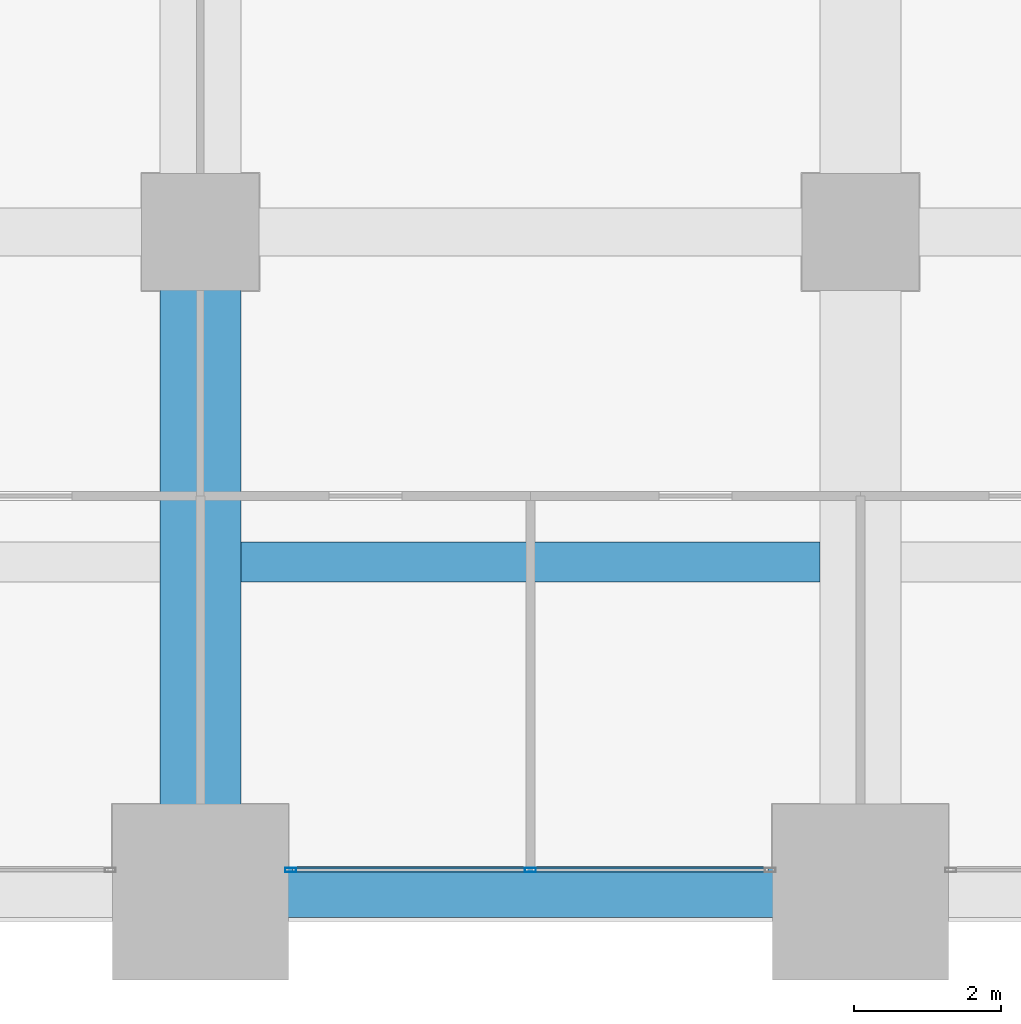
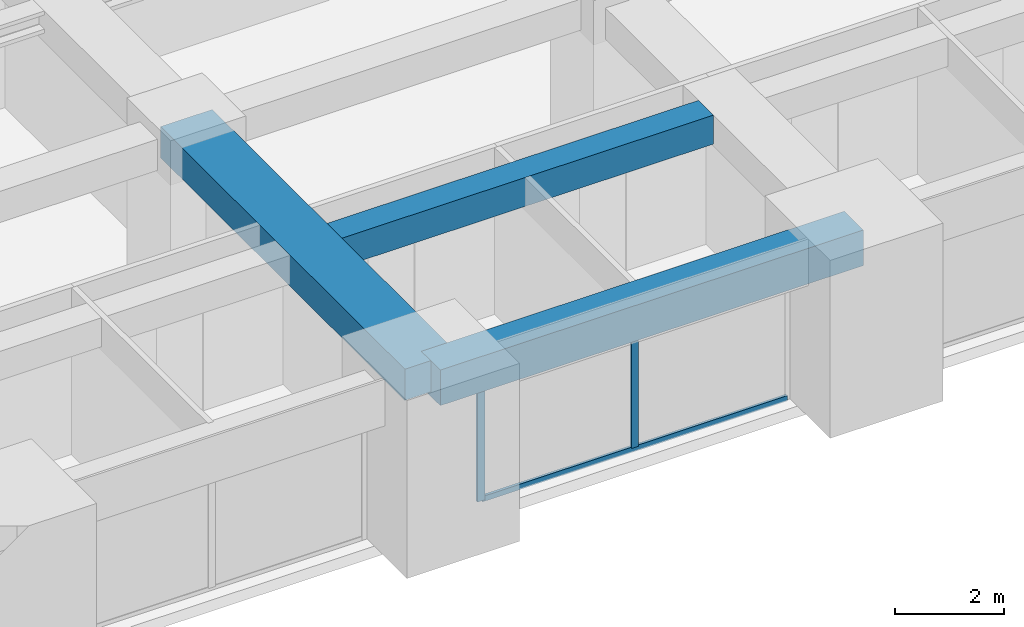
# One storey, part 7 of 32: 3 beams, 3 members, 1 element without a shape of its own.
"""IFC4 building model written with IfcOpenShell, lengths in metres."""

from ifc_helpers import new_model, si_unit, direction, frame, origin, origin_2d, place, context, subcontext, project, spatial, rectangle, hollow_rectangle, extrude, material, material_profile, profile_set, type_object, element, aggregate, save


model = new_model("IFC4")

# Units and contexts
model_context = context("Model", 3, precision=1e-05, world=origin(), true_north=direction((0.0, 1.0)))
body_context = subcontext(model_context, "Body", "Model", "MODEL_VIEW")
ifc_project = project(units=[si_unit("LENGTHUNIT", "METRE"), si_unit("AREAUNIT", "SQUARE_METRE"), si_unit("VOLUMEUNIT", "CUBIC_METRE"), si_unit("PLANEANGLEUNIT", "RADIAN"), si_unit("MASSUNIT", "GRAM", prefix="KILO")], contexts=[model_context])

# Site, building, storey
site_placement = place(None, origin())
site = spatial("IfcSite", under=ifc_project, at=site_placement, CompositionType="ELEMENT")
building_placement = place(site_placement, origin())
building = spatial("IfcBuilding", under=site, at=building_placement, Name="Zorevar Civic Tower", CompositionType="ELEMENT")
storey_placement = place(building_placement, frame((0.0, 0.0, 182.199951171875)))
storey = spatial("IfcBuildingStorey", under=building, at=storey_placement, Name="L44", CompositionType="ELEMENT", Elevation=182.199951171875)

# Beams
ifc_material_1 = material(Name="Concrete C50/60", Category="concrete")
ifc_material_profile_1 = material_profile(ifc_material_1, rectangle(XDim=1.10009765625, YDim=0.699951171875, at=origin_2d()), Name="RC 1100x700")
ifc_profile_set_1 = profile_set([ifc_material_profile_1], Name="Concrete C50/60")
beam_type_1 = type_object("IfcBeamType", Name="Beam RC 1100x700", PredefinedType="BEAM", material=ifc_profile_set_1)
beam_1_placement = place(storey_placement, frame((27.0, 0.0, 3.400146484375), z_axis=(0.0, 1.0, 0.0), x_axis=(-1.0, 0.0, 0.0)))
element("IfcBeam", 1, at=beam_1_placement, inside=storey, type_object=beam_type_1, Name="Girder L45", PredefinedType="BEAM", context=body_context, shape_type="SweptSolid", body=[
    extrude(rectangle(XDim=1.10009765625, YDim=0.699951171875, at=origin_2d()), origin(), (0.0, 0.0, 1.0), 9.0),
])
ifc_material_2 = material(Name="Concrete C50/60", Category="concrete")
ifc_material_profile_2 = material_profile(ifc_material_2, rectangle(XDim=0.550048828125, YDim=0.64990234375, at=origin_2d()), Name="RC 550x650")
ifc_profile_set_2 = profile_set([ifc_material_profile_2], Name="Concrete C50/60")
beam_type_2 = type_object("IfcBeamType", Name="Beam RC 550x650", PredefinedType="BEAM", material=ifc_profile_set_2)
beam_2_placement = place(storey_placement, frame((27.550048828125, 4.5, 3.425048828125), z_axis=(1.0, 0.0, 0.0), x_axis=(0.0, 1.0, 0.0)))
element("IfcBeam", 2, at=beam_2_placement, inside=storey, type_object=beam_type_2, Name="Secondary beam L45", PredefinedType="BEAM", context=body_context, shape_type="SweptSolid", body=[
    extrude(rectangle(XDim=0.550048828125, YDim=0.64990234375, at=origin_2d()), origin(), (0.0, 0.0, 1.0), 7.89990234375),
])

# Curtain wall, members
ifc_material_3 = material(Name="Dark grey solar-control glass in black aluminium frame", Category="aluminium")
curtain_wall_type = type_object("IfcCurtainWallType", Name="Curtain wall CW4 high zone", PredefinedType="NOTDEFINED", material=ifc_material_3)
curtain_wall_placement = place(storey_placement, origin())
curtain_wall = element("IfcCurtainWall", 3, at=curtain_wall_placement, inside=storey, type_object=curtain_wall_type, Name="CW4 L44", PredefinedType="NOTDEFINED")
ifc_material_4 = material(Name="Aluminium, black anodised", Category="aluminium")
ifc_material_profile_3 = material_profile(ifc_material_4, hollow_rectangle(XDim=0.06005859375, YDim=0.14990234375, WallThickness=0.00390625, at=origin_2d()), Name="AL 150x60x4")
ifc_profile_set_3 = profile_set([ifc_material_profile_3], Name="Aluminium, black anodised")
member_type_1 = type_object("IfcMemberType", Name="CW4 mullion AL 150x60x4", PredefinedType="MULLION", material=ifc_profile_set_3)
member_1_placement = place(storey_placement, frame((28.22998046875, 0.300048828125, 0.0), z_axis=(0.0, 0.0, 1.0), x_axis=(0.0, 1.0, 0.0)))
member_1 = element("IfcMember", 4, at=member_1_placement, type_object=member_type_1, Name="CW4 mullion 1", PredefinedType="MULLION", context=body_context, shape_type="SweptSolid", body=[
    extrude(hollow_rectangle(XDim=0.06005859375, YDim=0.14990234375, WallThickness=0.00390625, at=origin_2d()), origin(), (0.0, 0.0, 1.0), 2.949951171875),
])
member_2_placement = place(storey_placement, frame((31.5, 0.300048828125, 0.06005859375), z_axis=(0.0, 0.0, 1.0), x_axis=(0.0, 1.0, 0.0)))
member_2 = element("IfcMember", 5, at=member_2_placement, type_object=member_type_1, Name="CW4 mullion 2", PredefinedType="MULLION", context=body_context, shape_type="SweptSolid", body=[
    extrude(hollow_rectangle(XDim=0.06005859375, YDim=0.14990234375, WallThickness=0.00390625, at=origin_2d()), origin(), (0.0, 0.0, 1.0), 2.889892578125),
])
ifc_material_5 = material(Name="Aluminium, black anodised", Category="aluminium")
ifc_material_profile_4 = material_profile(ifc_material_5, hollow_rectangle(XDim=0.06005859375, YDim=0.1201171875, WallThickness=0.0029296875, at=origin_2d()), Name="AL 120x60x3")
ifc_profile_set_4 = profile_set([ifc_material_profile_4], Name="Aluminium, black anodised")
member_type_2 = type_object("IfcMemberType", Name="CW4 transom AL 120x60x3", PredefinedType="USERDEFINED", material=ifc_profile_set_4)
member_3_placement = place(storey_placement, frame((28.260009765625, 0.300048828125, 0.030029296875), z_axis=(1.0, 0.0, 0.0), x_axis=(0.0, 1.0, 0.0)))
member_3 = element("IfcMember", 6, at=member_3_placement, type_object=member_type_2, Name="CW4 sill transom", ObjectType="TRANSOM", PredefinedType="USERDEFINED", context=body_context, shape_type="SweptSolid", body=[
    extrude(hollow_rectangle(XDim=0.06005859375, YDim=0.1201171875, WallThickness=0.0029296875, at=origin_2d()), origin(), (0.0, 0.0, 1.0), 6.47998046875),
])
aggregate(curtain_wall, [member_1, member_2, member_3])

# Beam
ifc_material_6 = material(Name="Concrete C50/60", Category="concrete")
ifc_material_profile_5 = material_profile(ifc_material_6, rectangle(XDim=0.699951171875, YDim=0.800048828125, at=origin_2d()), Name="RC 700x800")
ifc_profile_set_5 = profile_set([ifc_material_profile_5], Name="Concrete C50/60")
beam_type_3 = type_object("IfcBeamType", Name="Edge beam RC 700x800", PredefinedType="SPANDREL", material=ifc_profile_set_5)
beam_3_placement = place(storey_placement, frame((27.0, 0.0, 3.35009765625), z_axis=(1.0, 0.0, 0.0), x_axis=(0.0, 1.0, 0.0)))
element("IfcBeam", 7, at=beam_3_placement, inside=storey, type_object=beam_type_3, Name="Edge beam L45", PredefinedType="SPANDREL", context=body_context, shape_type="SweptSolid", body=[
    extrude(rectangle(XDim=0.699951171875, YDim=0.800048828125, at=origin_2d()), origin(), (0.0, 0.0, 1.0), 9.0),
])

save(model, "model.ifc")
